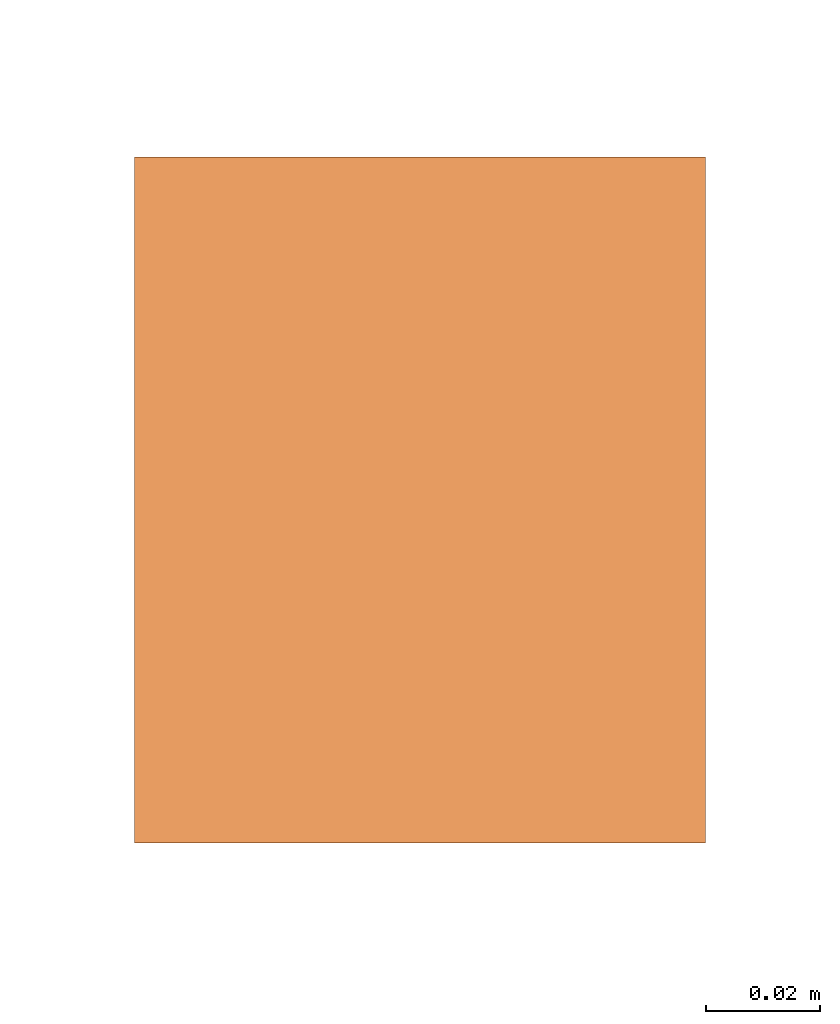
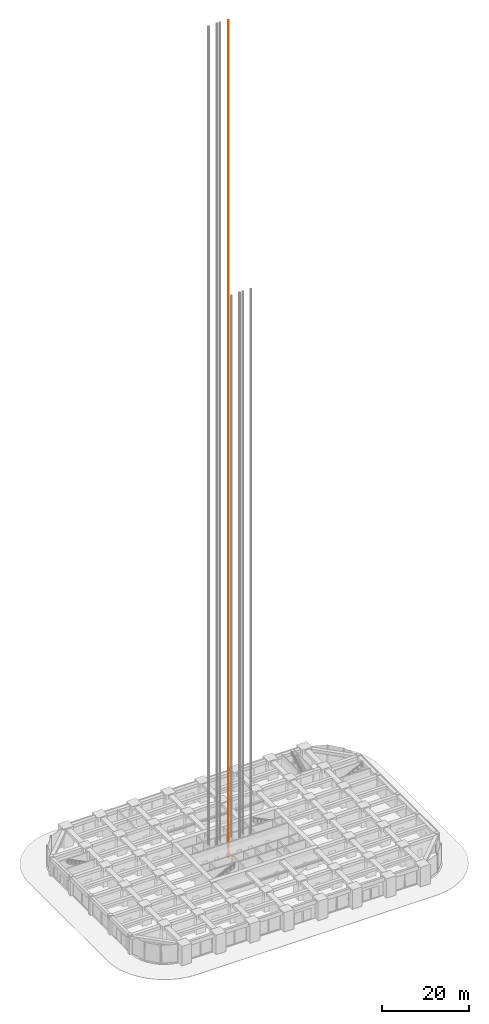
# One storey, part 53 of 56: 1 proxy.
"""IFC4 building model written with IfcOpenShell, lengths in metres."""

from ifc_helpers import new_model, si_unit, direction, frame, origin, origin_2d, place, context, subcontext, project, spatial, rectangle, extrude, element, save


model = new_model("IFC4")

# Units and contexts
model_context = context("Model", 3, precision=1e-05, world=origin(), true_north=direction((0.0, 1.0)))
body_context = subcontext(model_context, "Body", "Model", "MODEL_VIEW")
ifc_project = project(units=[si_unit("LENGTHUNIT", "METRE"), si_unit("AREAUNIT", "SQUARE_METRE"), si_unit("VOLUMEUNIT", "CUBIC_METRE"), si_unit("PLANEANGLEUNIT", "RADIAN"), si_unit("MASSUNIT", "GRAM", prefix="KILO")], contexts=[model_context])

# Site, building, storey
site_placement = place(None, origin())
site = spatial("IfcSite", under=ifc_project, at=site_placement, CompositionType="ELEMENT")
building_placement = place(site_placement, origin())
building = spatial("IfcBuilding", under=site, at=building_placement, Name="Zorevar Civic Tower", CompositionType="ELEMENT")
storey_placement = place(building_placement, origin())
storey = spatial("IfcBuildingStorey", under=building, at=storey_placement, Name="L00", CompositionType="ELEMENT", Elevation=0.0)

# Proxy
proxy_placement = place(storey_placement, frame((29.60009765625, 30.89990234375, 0.0), z_axis=(0.0, 0.0, 1.0), x_axis=(1.0, 0.0, 0.0)))
element("IfcBuildingElementProxy", 1, at=proxy_placement, inside=storey, Name="Passenger lift LH1 guide rail 2", PredefinedType="NOTDEFINED", context=body_context, shape_type="SweptSolid", body=[
    extrude(rectangle(XDim=0.10009765625, YDim=0.1201171875, at=origin_2d()), origin(), (0.0, 0.0, 1.0), 233.699951171875),
])

save(model, "model.ifc")
